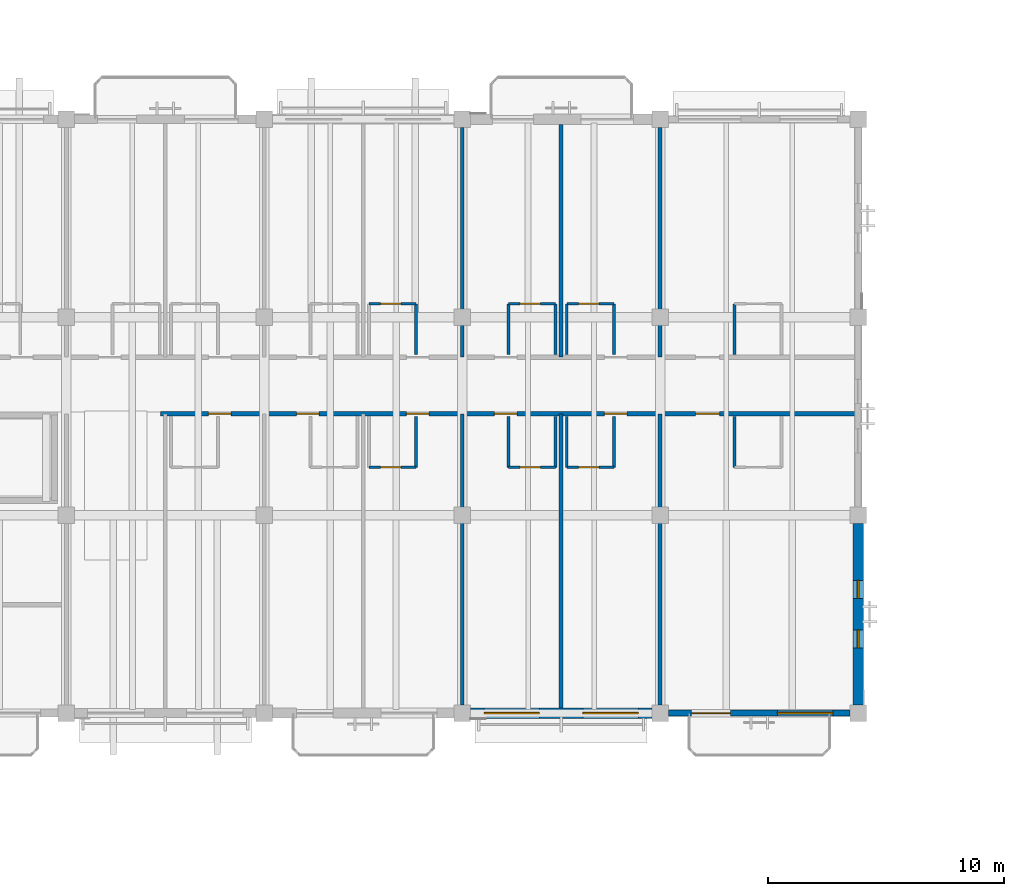
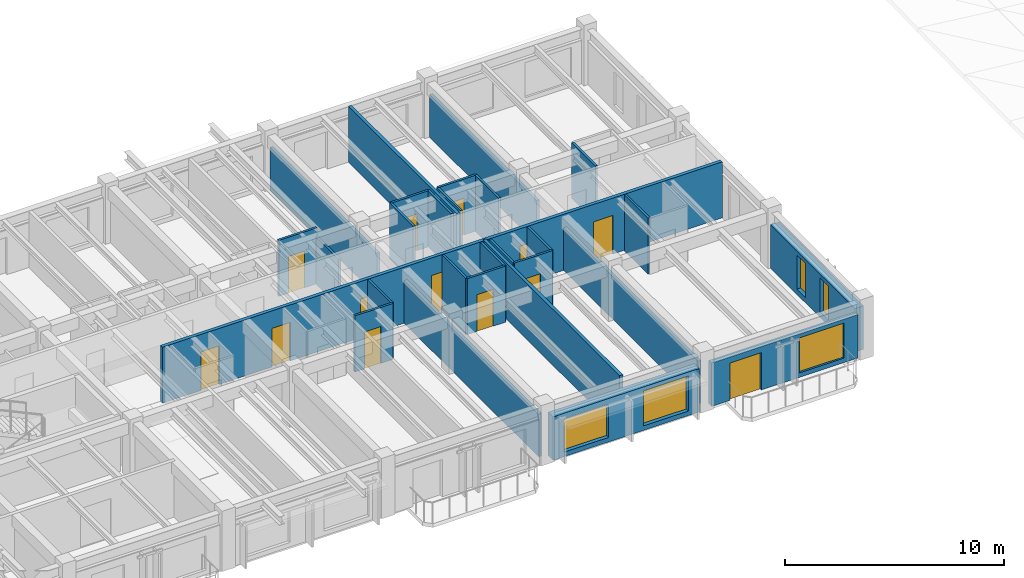
# One storey, part 40 of 64: 28 walls, 13 doors, 5 windows, 18 openings.
"""IFC4 building model written with IfcOpenShell, lengths in metres."""

from ifc_helpers import new_model, si_unit, direction, frame, frame_2d, origin, place, context, subcontext, project, spatial, rectangle, extrude, material, layer, layer_set, type_object, element, fill, save


model = new_model("IFC4")

# Units and contexts
model_context = context("Model", 3, precision=1e-05, world=origin(), true_north=direction((0.0, 1.0)))
body_context = subcontext(model_context, "Body", "Model", "MODEL_VIEW")
ifc_project = project(units=[si_unit("LENGTHUNIT", "METRE"), si_unit("AREAUNIT", "SQUARE_METRE"), si_unit("VOLUMEUNIT", "CUBIC_METRE"), si_unit("PLANEANGLEUNIT", "RADIAN"), si_unit("MASSUNIT", "GRAM", prefix="KILO")], contexts=[model_context])

# Site, building, storey
site_placement = place(None, origin())
site = spatial("IfcSite", under=ifc_project, at=site_placement, CompositionType="ELEMENT")
building_placement = place(site_placement, origin())
building = spatial("IfcBuilding", under=site, at=building_placement, Name="Cumbredor Promenade Congress Hotel", CompositionType="ELEMENT")
storey_placement = place(building_placement, frame((0.0, 0.0, 18.47998046875)))
storey = spatial("IfcBuildingStorey", under=building, at=storey_placement, Name="L05", CompositionType="ELEMENT", Elevation=18.47998046875)

# Wall, opening, door
ifc_material_1 = material(Name="Moisture-resistant gypsum board on steel studs", Category="steel")
ifc_layer_1 = layer(ifc_material_1, 0.114990234375, Name="Moisture-resistant gypsum board on steel studs", Category="steel")
ifc_layer_set_1 = layer_set([ifc_layer_1], Name="Moisture-resistant gypsum board on steel studs")
wall_type_1 = type_object("IfcWallType", Name="WL-BATH-115", PredefinedType="PARTITIONING", material=ifc_layer_set_1)
wall_1_placement = place(storey_placement, frame((63.239990234375, 109.77001953125, 0.0), z_axis=(0.0, 0.0, 1.0), x_axis=(1.0, 0.0, 0.0)))
wall_1 = element("IfcWall", 1, at=wall_1_placement, inside=storey, type_object=wall_type_1, Name="L05 Interior Partition W-L05-BH-0512", PredefinedType="PARTITIONING", context=body_context, shape_type="SweptSolid", body=[
    extrude(rectangle(XDim=2.0, YDim=0.114990234375, at=frame_2d((1.0, 0.0))), origin(), (0.0, 0.0, 1.0), 3.1201171875),
])
opening_1_placement = place(wall_1_placement, frame((0.5, 0.0, 0.0)))
opening_1 = element("IfcOpeningElement", 2, at=opening_1_placement, cuts=wall_1, Name="Opening ID-01", PredefinedType="OPENING", context=body_context, shape_type="SweptSolid", body=[
    extrude(rectangle(XDim=0.860107421875, YDim=2.050048828125, at=frame_2d((0.43017578125, 1.02490234375))), frame((0.0, 0.0673828125, 0.0), z_axis=(0.0, -1.0, 0.0), x_axis=(1.0, 0.0, 0.0)), (0.0, 0.0, 1.0), 0.135009765625),
])
ifc_material_2 = material(Name="Kiln-dried tropical hardwood", Category="wood")
door_type_1 = type_object("IfcDoorType", Name="DR-BATH-860", OperationType="NOTDEFINED", PredefinedType="DOOR", material=ifc_material_2)
door_1_placement = place(opening_1_placement, origin())
door_1 = element("IfcDoor", 3, at=door_1_placement, inside=storey, type_object=door_type_1, Name="L05 Interior Door W-L05-BH-0512-01", OperationType="SINGLE_SWING_LEFT", OverallHeight=2.050048828125, OverallWidth=0.860107421875, PredefinedType="DOOR", context=body_context, shape_type="SweptSolid", body=[
    extrude(rectangle(XDim=0.860107421875, YDim=2.050048828125, at=frame_2d((0.43017578125, 1.02490234375))), frame((0.0, 0.02490234375, 0.0), z_axis=(0.0, -1.0, 0.0), x_axis=(1.0, 0.0, 0.0)), (0.0, 0.0, 1.0), 0.050048828125),
])
fill(opening_1, door_1)

# Wall
wall_2_placement = place(storey_placement, frame((65.239990234375, 107.6201171875, 0.0), z_axis=(0.0, 0.0, 1.0), x_axis=(0.0, 1.0, 0.0)))
element("IfcWall", 4, at=wall_2_placement, inside=storey, type_object=wall_type_1, Name="L05 Interior Partition W-L05-BV2-0512", PredefinedType="PARTITIONING", context=body_context, shape_type="SweptSolid", body=[
    extrude(rectangle(XDim=2.14990234375, YDim=0.114990234375, at=frame_2d((1.074951171875, 0.0))), origin(), (0.0, 0.0, 1.0), 2.64208984375),
])

# Wall, opening, door
wall_3_placement = place(storey_placement, frame((69.159912109375, 109.77001953125, 0.0), z_axis=(0.0, 0.0, 1.0), x_axis=(1.0, 0.0, 0.0)))
wall_3 = element("IfcWall", 5, at=wall_3_placement, inside=storey, type_object=wall_type_1, Name="L05 Interior Partition W-L05-BH-0513", PredefinedType="PARTITIONING", context=body_context, shape_type="SweptSolid", body=[
    extrude(rectangle(XDim=2.0, YDim=0.114990234375, at=frame_2d((1.0, 0.0))), origin(), (0.0, 0.0, 1.0), 3.1201171875),
])
opening_2_placement = place(wall_3_placement, frame((0.5, 0.0, 0.0)))
opening_2 = element("IfcOpeningElement", 6, at=opening_2_placement, cuts=wall_3, Name="Opening ID-01", PredefinedType="OPENING", context=body_context, shape_type="SweptSolid", body=[
    extrude(rectangle(XDim=0.860107421875, YDim=2.050048828125, at=frame_2d((0.43017578125, 1.02490234375))), frame((0.0, 0.0673828125, 0.0), z_axis=(0.0, -1.0, 0.0), x_axis=(1.0, 0.0, 0.0)), (0.0, 0.0, 1.0), 0.135009765625),
])
door_2_placement = place(opening_2_placement, origin())
door_2 = element("IfcDoor", 7, at=door_2_placement, inside=storey, type_object=door_type_1, Name="L05 Interior Door W-L05-BH-0513-01", OperationType="SINGLE_SWING_RIGHT", OverallHeight=2.050048828125, OverallWidth=0.860107421875, PredefinedType="DOOR", context=body_context, shape_type="SweptSolid", body=[
    extrude(rectangle(XDim=0.860107421875, YDim=2.050048828125, at=frame_2d((0.43017578125, 1.02490234375))), frame((0.0, 0.02490234375, 0.0), z_axis=(0.0, -1.0, 0.0), x_axis=(1.0, 0.0, 0.0)), (0.0, 0.0, 1.0), 0.050048828125),
])
fill(opening_2, door_2)

# Walls
for number, where, z_axis, x_axis, name in (
    (8, (69.159912109375, 107.6201171875, 0.0), (0.0, 0.0, 1.0), (0.0, 1.0, 0.0), "L05 Interior Partition W-L05-BV1-0513"),
    (9, (71.159912109375, 107.6201171875, 0.0), (0.0, 0.0, 1.0), (0.0, 1.0, 0.0), "L05 Interior Partition W-L05-BV2-0513"),
):
    element("IfcWall", number, at=place(storey_placement, frame(where, z_axis=z_axis, x_axis=x_axis)), inside=storey, type_object=wall_type_1, Name=name, PredefinedType="PARTITIONING", context=body_context, shape_type="SweptSolid", body=[
        extrude(rectangle(XDim=2.14990234375, YDim=0.114990234375, at=frame_2d((1.074951171875, 0.0))), origin(), (0.0, 0.0, 1.0), 3.1201171875),
    ])

# Wall, opening, door
wall_4_placement = place(storey_placement, frame((71.639892578125, 109.77001953125, 0.0), z_axis=(0.0, 0.0, 1.0), x_axis=(1.0, 0.0, 0.0)))
wall_4 = element("IfcWall", 10, at=wall_4_placement, inside=storey, type_object=wall_type_1, Name="L05 Interior Partition W-L05-BH-0514", PredefinedType="PARTITIONING", context=body_context, shape_type="SweptSolid", body=[
    extrude(rectangle(XDim=2.0, YDim=0.114990234375, at=frame_2d((1.0, 0.0))), origin(), (0.0, 0.0, 1.0), 3.1201171875),
])
opening_3_placement = place(wall_4_placement, frame((0.5, 0.0, 0.0)))
opening_3 = element("IfcOpeningElement", 11, at=opening_3_placement, cuts=wall_4, Name="Opening ID-01", PredefinedType="OPENING", context=body_context, shape_type="SweptSolid", body=[
    extrude(rectangle(XDim=0.860107421875, YDim=2.050048828125, at=frame_2d((0.43017578125, 1.02490234375))), frame((0.0, 0.0673828125, 0.0), z_axis=(0.0, -1.0, 0.0), x_axis=(1.0, 0.0, 0.0)), (0.0, 0.0, 1.0), 0.135009765625),
])
door_3_placement = place(opening_3_placement, origin())
door_3 = element("IfcDoor", 12, at=door_3_placement, inside=storey, type_object=door_type_1, Name="L05 Interior Door W-L05-BH-0514-01", OperationType="SINGLE_SWING_LEFT", OverallHeight=2.050048828125, OverallWidth=0.860107421875, PredefinedType="DOOR", context=body_context, shape_type="SweptSolid", body=[
    extrude(rectangle(XDim=0.860107421875, YDim=2.050048828125, at=frame_2d((0.43017578125, 1.02490234375))), frame((0.0, 0.02490234375, 0.0), z_axis=(0.0, -1.0, 0.0), x_axis=(1.0, 0.0, 0.0)), (0.0, 0.0, 1.0), 0.050048828125),
])
fill(opening_3, door_3)

# Walls
for number, where, z_axis, x_axis, name in (
    (13, (71.639892578125, 107.6201171875, 0.0), (0.0, 0.0, 1.0), (0.0, 1.0, 0.0), "L05 Interior Partition W-L05-BV1-0514"),
    (14, (73.639892578125, 107.6201171875, 0.0), (0.0, 0.0, 1.0), (0.0, 1.0, 0.0), "L05 Interior Partition W-L05-BV2-0514"),
    (15, (78.75, 107.6201171875, 0.0), (0.0, 0.0, 1.0), (0.0, 1.0, 0.0), "L05 Interior Partition W-L05-BV1-0515"),
):
    element("IfcWall", number, at=place(storey_placement, frame(where, z_axis=z_axis, x_axis=x_axis)), inside=storey, type_object=wall_type_1, Name=name, PredefinedType="PARTITIONING", context=body_context, shape_type="SweptSolid", body=[
        extrude(rectangle(XDim=2.14990234375, YDim=0.114990234375, at=frame_2d((1.074951171875, 0.0))), origin(), (0.0, 0.0, 1.0), 3.1201171875),
    ])

# Wall, opening, door
wall_5_placement = place(storey_placement, frame((63.239990234375, 102.830078125, 0.0), z_axis=(0.0, 0.0, 1.0), x_axis=(1.0, 0.0, 0.0)))
wall_5 = element("IfcWall", 16, at=wall_5_placement, inside=storey, type_object=wall_type_1, Name="L05 Interior Partition W-L05-BH-0518", PredefinedType="PARTITIONING", context=body_context, shape_type="SweptSolid", body=[
    extrude(rectangle(XDim=2.0, YDim=0.114990234375, at=frame_2d((1.0, 0.0))), origin(), (0.0, 0.0, 1.0), 3.1201171875),
])
opening_4_placement = place(wall_5_placement, frame((0.5, 0.0, 0.0)))
opening_4 = element("IfcOpeningElement", 17, at=opening_4_placement, cuts=wall_5, Name="Opening ID-01", PredefinedType="OPENING", context=body_context, shape_type="SweptSolid", body=[
    extrude(rectangle(XDim=0.860107421875, YDim=2.050048828125, at=frame_2d((0.43017578125, 1.02490234375))), frame((0.0, 0.0673828125, 0.0), z_axis=(0.0, -1.0, 0.0), x_axis=(1.0, 0.0, 0.0)), (0.0, 0.0, 1.0), 0.135009765625),
])
door_4_placement = place(opening_4_placement, origin())
door_4 = element("IfcDoor", 18, at=door_4_placement, inside=storey, type_object=door_type_1, Name="L05 Interior Door W-L05-BH-0518-01", OperationType="SINGLE_SWING_LEFT", OverallHeight=2.050048828125, OverallWidth=0.860107421875, PredefinedType="DOOR", context=body_context, shape_type="SweptSolid", body=[
    extrude(rectangle(XDim=0.860107421875, YDim=2.050048828125, at=frame_2d((0.43017578125, 1.02490234375))), frame((0.0, 0.02490234375, 0.0), z_axis=(0.0, -1.0, 0.0), x_axis=(1.0, 0.0, 0.0)), (0.0, 0.0, 1.0), 0.050048828125),
])
fill(opening_4, door_4)

# Wall
wall_6_placement = place(storey_placement, frame((65.239990234375, 102.830078125, 0.0), z_axis=(0.0, 0.0, 1.0), x_axis=(0.0, 1.0, 0.0)))
element("IfcWall", 19, at=wall_6_placement, inside=storey, type_object=wall_type_1, Name="L05 Interior Partition W-L05-BV2-0518", PredefinedType="PARTITIONING", context=body_context, shape_type="SweptSolid", body=[
    extrude(rectangle(XDim=2.14990234375, YDim=0.114990234375, at=frame_2d((1.074951171875, 0.0))), origin(), (0.0, 0.0, 1.0), 3.1201171875),
])

# Wall, opening, door
wall_7_placement = place(storey_placement, frame((69.159912109375, 102.830078125, 0.0), z_axis=(0.0, 0.0, 1.0), x_axis=(1.0, 0.0, 0.0)))
wall_7 = element("IfcWall", 20, at=wall_7_placement, inside=storey, type_object=wall_type_1, Name="L05 Interior Partition W-L05-BH-0519", PredefinedType="PARTITIONING", context=body_context, shape_type="SweptSolid", body=[
    extrude(rectangle(XDim=2.0, YDim=0.114990234375, at=frame_2d((1.0, 0.0))), origin(), (0.0, 0.0, 1.0), 3.1201171875),
])
opening_5_placement = place(wall_7_placement, frame((0.5, 0.0, 0.0)))
opening_5 = element("IfcOpeningElement", 21, at=opening_5_placement, cuts=wall_7, Name="Opening ID-01", PredefinedType="OPENING", context=body_context, shape_type="SweptSolid", body=[
    extrude(rectangle(XDim=0.860107421875, YDim=2.050048828125, at=frame_2d((0.43017578125, 1.02490234375))), frame((0.0, 0.0673828125, 0.0), z_axis=(0.0, -1.0, 0.0), x_axis=(1.0, 0.0, 0.0)), (0.0, 0.0, 1.0), 0.135009765625),
])
door_5_placement = place(opening_5_placement, origin())
door_5 = element("IfcDoor", 22, at=door_5_placement, inside=storey, type_object=door_type_1, Name="L05 Interior Door W-L05-BH-0519-01", OperationType="SINGLE_SWING_RIGHT", OverallHeight=2.050048828125, OverallWidth=0.860107421875, PredefinedType="DOOR", context=body_context, shape_type="SweptSolid", body=[
    extrude(rectangle(XDim=0.860107421875, YDim=2.050048828125, at=frame_2d((0.43017578125, 1.02490234375))), frame((0.0, 0.02490234375, 0.0), z_axis=(0.0, -1.0, 0.0), x_axis=(1.0, 0.0, 0.0)), (0.0, 0.0, 1.0), 0.050048828125),
])
fill(opening_5, door_5)

# Walls
for number, where, z_axis, x_axis, name in (
    (23, (69.159912109375, 102.830078125, 0.0), (0.0, 0.0, 1.0), (0.0, 1.0, 0.0), "L05 Interior Partition W-L05-BV1-0519"),
    (24, (71.159912109375, 102.830078125, 0.0), (0.0, 0.0, 1.0), (0.0, 1.0, 0.0), "L05 Interior Partition W-L05-BV2-0519"),
):
    element("IfcWall", number, at=place(storey_placement, frame(where, z_axis=z_axis, x_axis=x_axis)), inside=storey, type_object=wall_type_1, Name=name, PredefinedType="PARTITIONING", context=body_context, shape_type="SweptSolid", body=[
        extrude(rectangle(XDim=2.14990234375, YDim=0.114990234375, at=frame_2d((1.074951171875, 0.0))), origin(), (0.0, 0.0, 1.0), 3.1201171875),
    ])

# Wall, opening, door
wall_8_placement = place(storey_placement, frame((71.639892578125, 102.830078125, 0.0), z_axis=(0.0, 0.0, 1.0), x_axis=(1.0, 0.0, 0.0)))
wall_8 = element("IfcWall", 25, at=wall_8_placement, inside=storey, type_object=wall_type_1, Name="L05 Interior Partition W-L05-BH-0520", PredefinedType="PARTITIONING", context=body_context, shape_type="SweptSolid", body=[
    extrude(rectangle(XDim=2.0, YDim=0.114990234375, at=frame_2d((1.0, 0.0))), origin(), (0.0, 0.0, 1.0), 3.1201171875),
])
opening_6_placement = place(wall_8_placement, frame((0.5, 0.0, 0.0)))
opening_6 = element("IfcOpeningElement", 26, at=opening_6_placement, cuts=wall_8, Name="Opening ID-01", PredefinedType="OPENING", context=body_context, shape_type="SweptSolid", body=[
    extrude(rectangle(XDim=0.860107421875, YDim=2.050048828125, at=frame_2d((0.43017578125, 1.02490234375))), frame((0.0, 0.0673828125, 0.0), z_axis=(0.0, -1.0, 0.0), x_axis=(1.0, 0.0, 0.0)), (0.0, 0.0, 1.0), 0.135009765625),
])
door_6_placement = place(opening_6_placement, origin())
door_6 = element("IfcDoor", 27, at=door_6_placement, inside=storey, type_object=door_type_1, Name="L05 Interior Door W-L05-BH-0520-01", OperationType="SINGLE_SWING_LEFT", OverallHeight=2.050048828125, OverallWidth=0.860107421875, PredefinedType="DOOR", context=body_context, shape_type="SweptSolid", body=[
    extrude(rectangle(XDim=0.860107421875, YDim=2.050048828125, at=frame_2d((0.43017578125, 1.02490234375))), frame((0.0, 0.02490234375, 0.0), z_axis=(0.0, -1.0, 0.0), x_axis=(1.0, 0.0, 0.0)), (0.0, 0.0, 1.0), 0.050048828125),
])
fill(opening_6, door_6)

# Walls
for number, where, z_axis, x_axis, name in (
    (28, (71.639892578125, 102.830078125, 0.0), (0.0, 0.0, 1.0), (0.0, 1.0, 0.0), "L05 Interior Partition W-L05-BV1-0520"),
    (29, (73.639892578125, 102.830078125, 0.0), (0.0, 0.0, 1.0), (0.0, 1.0, 0.0), "L05 Interior Partition W-L05-BV2-0520"),
    (30, (78.75, 102.830078125, 0.0), (0.0, 0.0, 1.0), (0.0, 1.0, 0.0), "L05 Interior Partition W-L05-BV1-0521"),
):
    element("IfcWall", number, at=place(storey_placement, frame(where, z_axis=z_axis, x_axis=x_axis)), inside=storey, type_object=wall_type_1, Name=name, PredefinedType="PARTITIONING", context=body_context, shape_type="SweptSolid", body=[
        extrude(rectangle(XDim=2.14990234375, YDim=0.114990234375, at=frame_2d((1.074951171875, 0.0))), origin(), (0.0, 0.0, 1.0), 3.1201171875),
    ])

# Wall, openings, doors
ifc_material_3 = material(Name="Fire-rated hotel corridor wall")
ifc_layer_2 = layer(ifc_material_3, 0.179931640625, Name="Fire-rated hotel corridor wall")
ifc_layer_set_2 = layer_set([ifc_layer_2], Name="Fire-rated hotel corridor wall")
wall_type_2 = type_object("IfcWallType", Name="WL-CORR-180", PredefinedType="PARTITIONING", material=ifc_layer_set_2)
wall_9_placement = place(storey_placement, frame((54.39990234375, 105.10009765625, 0.0), z_axis=(0.0, 0.0, 1.0), x_axis=(1.0, 0.0, 0.0)))
wall_9 = element("IfcWall", 31, at=wall_9_placement, inside=storey, type_object=wall_type_2, Name="L05 Interior Partition W-L05-CORR-SE", PredefinedType="PARTITIONING", context=body_context, shape_type="SweptSolid", body=[
    extrude(rectangle(XDim=29.47021484375, YDim=0.179931640625, at=frame_2d((14.735107421875, 0.0))), origin(), (0.0, 0.0, 1.0), 3.1201171875),
])
opening_7_placement = place(wall_9_placement, frame((2.030029296875, 0.0, 0.0)))
opening_7 = element("IfcOpeningElement", 32, at=opening_7_placement, cuts=wall_9, Name="Opening FD-01", PredefinedType="OPENING", context=body_context, shape_type="SweptSolid", body=[
    extrude(rectangle(XDim=0.9599609375, YDim=2.14990234375, at=frame_2d((0.47998046875, 1.074951171875))), frame((0.0, 0.10009765625, 0.0), z_axis=(0.0, -1.0, 0.0), x_axis=(1.0, 0.0, 0.0)), (0.0, 0.0, 1.0), 0.199951171875),
])
opening_8_placement = place(wall_9_placement, frame((5.77001953125, 0.0, 0.0)))
opening_8 = element("IfcOpeningElement", 33, at=opening_8_placement, cuts=wall_9, Name="Opening FD-01", PredefinedType="OPENING", context=body_context, shape_type="SweptSolid", body=[
    extrude(rectangle(XDim=0.9599609375, YDim=2.14990234375, at=frame_2d((0.47998046875, 1.074951171875))), frame((0.0, 0.10009765625, 0.0), z_axis=(0.0, -1.0, 0.0), x_axis=(1.0, 0.0, 0.0)), (0.0, 0.0, 1.0), 0.199951171875),
])
opening_9_placement = place(wall_9_placement, frame((10.429931640625, 0.0, 0.0)))
opening_9 = element("IfcOpeningElement", 34, at=opening_9_placement, cuts=wall_9, Name="Opening FD-01", PredefinedType="OPENING", context=body_context, shape_type="SweptSolid", body=[
    extrude(rectangle(XDim=0.9599609375, YDim=2.14990234375, at=frame_2d((0.47998046875, 1.074951171875))), frame((0.0, 0.10009765625, 0.0), z_axis=(0.0, -1.0, 0.0), x_axis=(1.0, 0.0, 0.0)), (0.0, 0.0, 1.0), 0.199951171875),
])
opening_10_placement = place(wall_9_placement, frame((14.169921875, 0.0, 0.0)))
opening_10 = element("IfcOpeningElement", 35, at=opening_10_placement, cuts=wall_9, Name="Opening FD-01", PredefinedType="OPENING", context=body_context, shape_type="SweptSolid", body=[
    extrude(rectangle(XDim=0.9599609375, YDim=2.14990234375, at=frame_2d((0.47998046875, 1.074951171875))), frame((0.0, 0.10009765625, 0.0), z_axis=(0.0, -1.0, 0.0), x_axis=(1.0, 0.0, 0.0)), (0.0, 0.0, 1.0), 0.199951171875),
])
opening_11_placement = place(wall_9_placement, frame((18.830078125, 0.0, 0.0)))
opening_11 = element("IfcOpeningElement", 36, at=opening_11_placement, cuts=wall_9, Name="Opening FD-01", PredefinedType="OPENING", context=body_context, shape_type="SweptSolid", body=[
    extrude(rectangle(XDim=0.9599609375, YDim=2.14990234375, at=frame_2d((0.47998046875, 1.074951171875))), frame((0.0, 0.10009765625, 0.0), z_axis=(0.0, -1.0, 0.0), x_axis=(1.0, 0.0, 0.0)), (0.0, 0.0, 1.0), 0.199951171875),
])
opening_12_placement = place(wall_9_placement, frame((22.699951171875, 0.0, 0.0)))
opening_12 = element("IfcOpeningElement", 37, at=opening_12_placement, cuts=wall_9, Name="Opening FD-02", PredefinedType="OPENING", context=body_context, shape_type="SweptSolid", body=[
    extrude(rectangle(XDim=1.02001953125, YDim=2.14990234375, at=frame_2d((0.510009765625, 1.074951171875))), frame((0.0, 0.10009765625, 0.0), z_axis=(0.0, -1.0, 0.0), x_axis=(1.0, 0.0, 0.0)), (0.0, 0.0, 1.0), 0.199951171875),
])
ifc_material_4 = material(Name="Solid-core fire-rated tropical hardwood", Category="wood")
door_type_2 = type_object("IfcDoorType", Name="DR-GUEST-FD30-1000", OperationType="NOTDEFINED", PredefinedType="DOOR", material=ifc_material_4)
door_7_placement = place(opening_12_placement, origin())
door_7 = element("IfcDoor", 38, at=door_7_placement, inside=storey, type_object=door_type_2, Name="L05 Interior Door W-L05-CORR-SE-06", OperationType="SINGLE_SWING_LEFT", OverallHeight=2.14990234375, OverallWidth=1.02001953125, PredefinedType="DOOR", context=body_context, shape_type="SweptSolid", body=[
    extrude(rectangle(XDim=1.02001953125, YDim=2.14990234375, at=frame_2d((0.510009765625, 1.074951171875))), frame((0.0, 0.02490234375, 0.0), z_axis=(0.0, -1.0, 0.0), x_axis=(1.0, 0.0, 0.0)), (0.0, 0.0, 1.0), 0.050048828125),
])
fill(opening_12, door_7)
door_type_3 = type_object("IfcDoorType", Name="DR-GUEST-FD30-950", OperationType="NOTDEFINED", PredefinedType="DOOR", material=ifc_material_4)
door_8_placement = place(opening_7_placement, origin())
door_8 = element("IfcDoor", 39, at=door_8_placement, inside=storey, type_object=door_type_3, Name="L05 Interior Door W-L05-CORR-SE-01", OperationType="SINGLE_SWING_RIGHT", OverallHeight=2.14990234375, OverallWidth=0.9599609375, PredefinedType="DOOR", context=body_context, shape_type="SweptSolid", body=[
    extrude(rectangle(XDim=0.9599609375, YDim=2.14990234375, at=frame_2d((0.47998046875, 1.074951171875))), frame((0.0, 0.02490234375, 0.0), z_axis=(0.0, -1.0, 0.0), x_axis=(1.0, 0.0, 0.0)), (0.0, 0.0, 1.0), 0.050048828125),
])
fill(opening_7, door_8)
door_9_placement = place(opening_8_placement, origin())
door_9 = element("IfcDoor", 40, at=door_9_placement, inside=storey, type_object=door_type_3, Name="L05 Interior Door W-L05-CORR-SE-02", OperationType="SINGLE_SWING_LEFT", OverallHeight=2.14990234375, OverallWidth=0.9599609375, PredefinedType="DOOR", context=body_context, shape_type="SweptSolid", body=[
    extrude(rectangle(XDim=0.9599609375, YDim=2.14990234375, at=frame_2d((0.47998046875, 1.074951171875))), frame((0.0, 0.02490234375, 0.0), z_axis=(0.0, -1.0, 0.0), x_axis=(1.0, 0.0, 0.0)), (0.0, 0.0, 1.0), 0.050048828125),
])
fill(opening_8, door_9)
door_10_placement = place(opening_9_placement, origin())
door_10 = element("IfcDoor", 41, at=door_10_placement, inside=storey, type_object=door_type_3, Name="L05 Interior Door W-L05-CORR-SE-03", OperationType="SINGLE_SWING_RIGHT", OverallHeight=2.14990234375, OverallWidth=0.9599609375, PredefinedType="DOOR", context=body_context, shape_type="SweptSolid", body=[
    extrude(rectangle(XDim=0.9599609375, YDim=2.14990234375, at=frame_2d((0.47998046875, 1.074951171875))), frame((0.0, 0.02490234375, 0.0), z_axis=(0.0, -1.0, 0.0), x_axis=(1.0, 0.0, 0.0)), (0.0, 0.0, 1.0), 0.050048828125),
])
fill(opening_9, door_10)
door_11_placement = place(opening_10_placement, origin())
door_11 = element("IfcDoor", 42, at=door_11_placement, inside=storey, type_object=door_type_3, Name="L05 Interior Door W-L05-CORR-SE-04", OperationType="SINGLE_SWING_LEFT", OverallHeight=2.14990234375, OverallWidth=0.9599609375, PredefinedType="DOOR", context=body_context, shape_type="SweptSolid", body=[
    extrude(rectangle(XDim=0.9599609375, YDim=2.14990234375, at=frame_2d((0.47998046875, 1.074951171875))), frame((0.0, 0.02490234375, 0.0), z_axis=(0.0, -1.0, 0.0), x_axis=(1.0, 0.0, 0.0)), (0.0, 0.0, 1.0), 0.050048828125),
])
fill(opening_10, door_11)
door_12_placement = place(opening_11_placement, origin())
door_12 = element("IfcDoor", 43, at=door_12_placement, inside=storey, type_object=door_type_3, Name="L05 Interior Door W-L05-CORR-SE-05", OperationType="SINGLE_SWING_RIGHT", OverallHeight=2.14990234375, OverallWidth=0.9599609375, PredefinedType="DOOR", context=body_context, shape_type="SweptSolid", body=[
    extrude(rectangle(XDim=0.9599609375, YDim=2.14990234375, at=frame_2d((0.47998046875, 1.074951171875))), frame((0.0, 0.02490234375, 0.0), z_axis=(0.0, -1.0, 0.0), x_axis=(1.0, 0.0, 0.0)), (0.0, 0.0, 1.0), 0.050048828125),
])
fill(opening_11, door_12)

# Wall, openings, door, window
ifc_material_5 = material(Name="Concrete C40/50", Category="concrete")
ifc_layer_3 = layer(ifc_material_5, 0.260009765625, Name="Concrete C40/50", Category="concrete")
ifc_layer_set_3 = layer_set([ifc_layer_3], Name="Concrete C40/50")
wall_type_3 = type_object("IfcWallType", Name="WL-EXT-260", PredefinedType="SOLIDWALL", material=ifc_layer_set_3)
wall_10_placement = place(storey_placement, frame((75.950927734375, 92.39990234375, 0.0), z_axis=(0.0, 0.0, 1.0), x_axis=(1.0, 0.0, 0.0)))
wall_10 = element("IfcWall", 44, at=wall_10_placement, inside=storey, type_object=wall_type_3, Name="L05 Stepped Congress Hotel Wing South Envelope Wall 10", PredefinedType="SOLIDWALL", context=body_context, shape_type="SweptSolid", body=[
    extrude(rectangle(XDim=7.697998046875, YDim=0.260009765625, at=frame_2d((3.84912109375, 0.0))), origin(), (0.0, 0.0, 1.0), 2.4140625),
])
opening_13_placement = place(wall_10_placement, frame((0.97412109375, 0.0, 0.0)))
opening_13 = element("IfcOpeningElement", 45, at=opening_13_placement, cuts=wall_10, Name="Opening TD-02", PredefinedType="OPENING", context=body_context, shape_type="SweptSolid", body=[
    extrude(rectangle(XDim=1.64990234375, YDim=2.080078125, at=frame_2d((0.824951171875, 1.0400390625))), frame((0.0, 0.14013671875, 0.0), z_axis=(0.0, -1.0, 0.0), x_axis=(1.0, 0.0, 0.0)), (0.0, 0.0, 1.0), 0.280029296875),
])
opening_14_placement = place(wall_10_placement, frame((4.6240234375, 0.0, 0.25)))
opening_14 = element("IfcOpeningElement", 46, at=opening_14_placement, cuts=wall_10, Name="Opening WN-08", PredefinedType="OPENING", context=body_context, shape_type="SweptSolid", body=[
    extrude(rectangle(XDim=2.35009765625, YDim=1.949951171875, at=frame_2d((1.175048828125, 0.97509765625))), frame((0.0, 0.14013671875, 0.0), z_axis=(0.0, -1.0, 0.0), x_axis=(1.0, 0.0, 0.0)), (0.0, 0.0, 1.0), 0.280029296875),
])
ifc_material_6 = material(Name="Thermally broken anodized aluminium and laminated safety glass", Category="aluminium")
door_type_4 = type_object("IfcDoorType", Name="EXT-DR-TER-1650x2080", OperationType="DOUBLE_DOOR_SINGLE_SWING", PredefinedType="DOOR", material=ifc_material_6)
door_13_placement = place(opening_13_placement, frame((1.64990234375, 0.0, 0.0), z_axis=(0.0, 0.0, 1.0), x_axis=(-1.0, 0.0, 0.0)))
door_13 = element("IfcDoor", 47, at=door_13_placement, inside=storey, type_object=door_type_4, Name="L05 Guestroom Veranda Balcony Door 061", OperationType="DOUBLE_DOOR_SINGLE_SWING", OverallHeight=2.080078125, OverallWidth=1.64990234375, PredefinedType="DOOR", context=body_context, shape_type="SweptSolid", body=[
    extrude(rectangle(XDim=1.64990234375, YDim=2.080078125, at=frame_2d((0.824951171875, 1.0400390625))), frame((0.0, 0.02490234375, 0.0), z_axis=(0.0, -1.0, 0.0), x_axis=(1.0, 0.0, 0.0)), (0.0, 0.0, 1.0), 0.050048828125),
])
fill(opening_13, door_13)
ifc_material_7 = material(Name="Thermally broken anodized aluminium and low-E glass", Category="aluminium")
window_type_1 = type_object("IfcWindowType", Name="Hospitality Floor-to-Ceiling Window WN-08 2350x1950", PartitioningType="DOUBLE_PANEL_VERTICAL", PredefinedType="WINDOW", material=ifc_material_7)
window_1_placement = place(opening_14_placement, origin())
window_1 = element("IfcWindow", 48, at=window_1_placement, inside=storey, type_object=window_type_1, Name="L05 Veranda Companion Floor-to-Ceiling Window 0556", OverallHeight=1.949951171875, OverallWidth=2.35009765625, PartitioningType="DOUBLE_PANEL_VERTICAL", PredefinedType="WINDOW", context=body_context, shape_type="SweptSolid", body=[
    extrude(rectangle(XDim=2.35009765625, YDim=1.949951171875, at=frame_2d((1.175048828125, 0.97509765625))), frame((0.0, 0.030029296875, 0.0), z_axis=(0.0, -1.0, 0.0), x_axis=(1.0, 0.0, 0.0)), (0.0, 0.0, 1.0), 0.06005859375),
])
fill(opening_14, window_1)

# Wall, openings, windows
ifc_layer_4 = layer(ifc_material_5, 0.449951171875, Name="Concrete C40/50", Category="concrete")
ifc_layer_set_4 = layer_set([ifc_layer_4], Name="Concrete C40/50")
wall_type_4 = type_object("IfcWallType", Name="WL-EXT-450", PredefinedType="SOLIDWALL", material=ifc_layer_set_4)
wall_11_placement = place(storey_placement, frame((67.551025390625, 92.39990234375, 0.0), z_axis=(0.0, 0.0, 1.0), x_axis=(1.0, 0.0, 0.0)))
wall_11 = element("IfcWall", 49, at=wall_11_placement, inside=storey, type_object=wall_type_4, Name="L05 Stepped Congress Hotel Wing South Envelope Wall 9", PredefinedType="SOLIDWALL", context=body_context, shape_type="SweptSolid", body=[
    extrude(rectangle(XDim=7.697998046875, YDim=0.449951171875, at=frame_2d((3.84912109375, 0.0))), origin(), (0.0, 0.0, 1.0), 2.4140625),
])
opening_15_placement = place(wall_11_placement, frame((0.573974609375, 0.0, 0.25)))
opening_15 = element("IfcOpeningElement", 50, at=opening_15_placement, cuts=wall_11, Name="Opening WN-02", PredefinedType="OPENING", context=body_context, shape_type="SweptSolid", body=[
    extrude(rectangle(XDim=2.35009765625, YDim=1.85009765625, at=frame_2d((1.175048828125, 0.925048828125))), frame((0.0, 0.23486328125, 0.0), z_axis=(0.0, -1.0, 0.0), x_axis=(1.0, 0.0, 0.0)), (0.0, 0.0, 1.0), 0.469970703125),
])
opening_16_placement = place(wall_11_placement, frame((4.77392578125, 0.0, 0.25)))
opening_16 = element("IfcOpeningElement", 51, at=opening_16_placement, cuts=wall_11, Name="Opening WN-08", PredefinedType="OPENING", context=body_context, shape_type="SweptSolid", body=[
    extrude(rectangle(XDim=2.35009765625, YDim=1.949951171875, at=frame_2d((1.175048828125, 0.97509765625))), frame((0.0, 0.23486328125, 0.0), z_axis=(0.0, -1.0, 0.0), x_axis=(1.0, 0.0, 0.0)), (0.0, 0.0, 1.0), 0.469970703125),
])
window_type_2 = type_object("IfcWindowType", Name="Hospitality Floor-to-Ceiling Window WN-02 2350x1850", PartitioningType="DOUBLE_PANEL_VERTICAL", PredefinedType="WINDOW", material=ifc_material_7)
window_2_placement = place(opening_15_placement, origin())
window_2 = element("IfcWindow", 52, at=window_2_placement, inside=storey, type_object=window_type_2, Name="L05 Wide Hospitality Window 0554", OverallHeight=1.85009765625, OverallWidth=2.35009765625, PartitioningType="DOUBLE_PANEL_VERTICAL", PredefinedType="WINDOW", context=body_context, shape_type="SweptSolid", body=[
    extrude(rectangle(XDim=2.35009765625, YDim=1.85009765625, at=frame_2d((1.175048828125, 0.925048828125))), frame((0.0, 0.030029296875, 0.0), z_axis=(0.0, -1.0, 0.0), x_axis=(1.0, 0.0, 0.0)), (0.0, 0.0, 1.0), 0.06005859375),
])
fill(opening_15, window_2)
window_3_placement = place(opening_16_placement, origin())
window_3 = element("IfcWindow", 53, at=window_3_placement, inside=storey, type_object=window_type_1, Name="L05 Wide Hospitality Window 0555", OverallHeight=1.949951171875, OverallWidth=2.35009765625, PartitioningType="DOUBLE_PANEL_VERTICAL", PredefinedType="WINDOW", context=body_context, shape_type="SweptSolid", body=[
    extrude(rectangle(XDim=2.35009765625, YDim=1.949951171875, at=frame_2d((1.175048828125, 0.97509765625))), frame((0.0, 0.030029296875, 0.0), z_axis=(0.0, -1.0, 0.0), x_axis=(1.0, 0.0, 0.0)), (0.0, 0.0, 1.0), 0.06005859375),
])
fill(opening_16, window_3)

wall_12_placement = place(storey_placement, frame((84.0, 92.7509765625, 0.0), z_axis=(0.0, 0.0, 1.0), x_axis=(0.0, 1.0, 0.0)))
wall_12 = element("IfcWall", 54, at=wall_12_placement, inside=storey, type_object=wall_type_4, Name="L05 Stepped Congress Hotel Wing East Envelope Wall 1", PredefinedType="SOLIDWALL", context=body_context, shape_type="SweptSolid", body=[
    extrude(rectangle(XDim=7.697998046875, YDim=0.449951171875, at=frame_2d((3.84912109375, 0.0))), origin(), (0.0, 0.0, 1.0), 2.4140625),
])
opening_17_placement = place(wall_12_placement, frame((2.4140625, 0.0, 0.300048828125)))
opening_17 = element("IfcOpeningElement", 55, at=opening_17_placement, cuts=wall_12, Name="Opening WN-66", PredefinedType="OPENING", context=body_context, shape_type="SweptSolid", body=[
    extrude(rectangle(XDim=0.77001953125, YDim=1.89990234375, at=frame_2d((0.385009765625, 0.949951171875))), frame((0.0, 0.23486328125, 0.0), z_axis=(0.0, -1.0, 0.0), x_axis=(1.0, 0.0, 0.0)), (0.0, 0.0, 1.0), 0.469970703125),
])
opening_18_placement = place(wall_12_placement, frame((4.513916015625, 0.0, 0.300048828125)))
opening_18 = element("IfcOpeningElement", 56, at=opening_18_placement, cuts=wall_12, Name="Opening WN-66", PredefinedType="OPENING", context=body_context, shape_type="SweptSolid", body=[
    extrude(rectangle(XDim=0.77001953125, YDim=1.89990234375, at=frame_2d((0.385009765625, 0.949951171875))), frame((0.0, 0.23486328125, 0.0), z_axis=(0.0, -1.0, 0.0), x_axis=(1.0, 0.0, 0.0)), (0.0, 0.0, 1.0), 0.469970703125),
])
window_type_3 = type_object("IfcWindowType", Name="Vertical Slot Window WN-66 770x1900", PartitioningType="SINGLE_PANEL", PredefinedType="WINDOW", material=ifc_material_7)
window_4_placement = place(opening_17_placement, origin())
window_4 = element("IfcWindow", 57, at=window_4_placement, inside=storey, type_object=window_type_3, Name="L05 Vertical Slot Window 0577", OverallHeight=1.89990234375, OverallWidth=0.77001953125, PartitioningType="SINGLE_PANEL", PredefinedType="WINDOW", context=body_context, shape_type="SweptSolid", body=[
    extrude(rectangle(XDim=0.77001953125, YDim=1.89990234375, at=frame_2d((0.385009765625, 0.949951171875))), frame((0.0, 0.030029296875, 0.0), z_axis=(0.0, -1.0, 0.0), x_axis=(1.0, 0.0, 0.0)), (0.0, 0.0, 1.0), 0.06005859375),
])
fill(opening_17, window_4)
window_5_placement = place(opening_18_placement, origin())
window_5 = element("IfcWindow", 58, at=window_5_placement, inside=storey, type_object=window_type_3, Name="L05 Vertical Slot Window 0578", OverallHeight=1.89990234375, OverallWidth=0.77001953125, PartitioningType="SINGLE_PANEL", PredefinedType="WINDOW", context=body_context, shape_type="SweptSolid", body=[
    extrude(rectangle(XDim=0.77001953125, YDim=1.89990234375, at=frame_2d((0.385009765625, 0.949951171875))), frame((0.0, 0.030029296875, 0.0), z_axis=(0.0, -1.0, 0.0), x_axis=(1.0, 0.0, 0.0)), (0.0, 0.0, 1.0), 0.06005859375),
])
fill(opening_18, window_5)

# Walls
ifc_material_8 = material(Name="Fire-rated acoustic double-stud partition")
ifc_layer_5 = layer(ifc_material_8, 0.1650390625, Name="Fire-rated acoustic double-stud partition")
ifc_layer_set_5 = layer_set([ifc_layer_5], Name="Fire-rated acoustic double-stud partition")
wall_type_5 = type_object("IfcWallType", Name="WL-UNIT-165", PredefinedType="PARTITIONING", material=ifc_layer_set_5)
wall_13_placement = place(storey_placement, frame((71.39990234375, 107.5, 0.0), z_axis=(0.0, 0.0, 1.0), x_axis=(0.0, 1.0, 0.0)))
element("IfcWall", 59, at=wall_13_placement, inside=storey, type_object=wall_type_5, Name="L05 Interior Partition W-L05-N-DIV-8-M", PredefinedType="PARTITIONING", context=body_context, shape_type="SweptSolid", body=[
    extrude(rectangle(XDim=9.875, YDim=0.1650390625, at=frame_2d((4.9375, 0.0))), origin(), (0.0, 0.0, 1.0), 3.1201171875),
])
for number, where, z_axis, x_axis, name in (
    (60, (67.199951171875, 107.5, 0.0), (0.0, 0.0, 1.0), (0.0, 1.0, 0.0), "L05 Interior Partition W-L05-N-DIV-8-G"),
    (61, (75.60009765625, 107.5, 0.0), (0.0, 0.0, 1.0), (0.0, 1.0, 0.0), "L05 Interior Partition W-L05-N-DIV-9-G"),
):
    element("IfcWall", number, at=place(storey_placement, frame(where, z_axis=z_axis, x_axis=x_axis)), inside=storey, type_object=wall_type_5, Name=name, PredefinedType="PARTITIONING", context=body_context, shape_type="SweptSolid", body=[
        extrude(rectangle(XDim=9.75, YDim=0.1650390625, at=frame_2d((4.875, 0.0))), origin(), (0.0, 0.0, 1.0), 2.375),
    ])
wall_14_placement = place(storey_placement, frame((71.39990234375, 92.625, 0.0), z_axis=(0.0, 0.0, 1.0), x_axis=(0.0, 1.0, 0.0)))
element("IfcWall", 62, at=wall_14_placement, inside=storey, type_object=wall_type_5, Name="L05 Interior Partition W-L05-SE-DIV-2-M", PredefinedType="PARTITIONING", context=body_context, shape_type="SweptSolid", body=[
    extrude(rectangle(XDim=12.47509765625, YDim=0.1650390625, at=frame_2d((6.237548828125, 0.0))), origin(), (0.0, 0.0, 1.0), 3.1201171875),
])
for number, where, z_axis, x_axis, name in (
    (63, (67.199951171875, 92.75, 0.0), (0.0, 0.0, 1.0), (0.0, 1.0, 0.0), "L05 Interior Partition W-L05-SE-DIV-2-G"),
    (64, (75.60009765625, 92.75, 0.0), (0.0, 0.0, 1.0), (0.0, 1.0, 0.0), "L05 Interior Partition W-L05-SE-DIV-3-G"),
):
    element("IfcWall", number, at=place(storey_placement, frame(where, z_axis=z_axis, x_axis=x_axis)), inside=storey, type_object=wall_type_5, Name=name, PredefinedType="PARTITIONING", context=body_context, shape_type="SweptSolid", body=[
        extrude(rectangle(XDim=12.35009765625, YDim=0.1650390625, at=frame_2d((6.175048828125, 0.0))), origin(), (0.0, 0.0, 1.0), 2.375),
    ])

save(model, "model.ifc")
